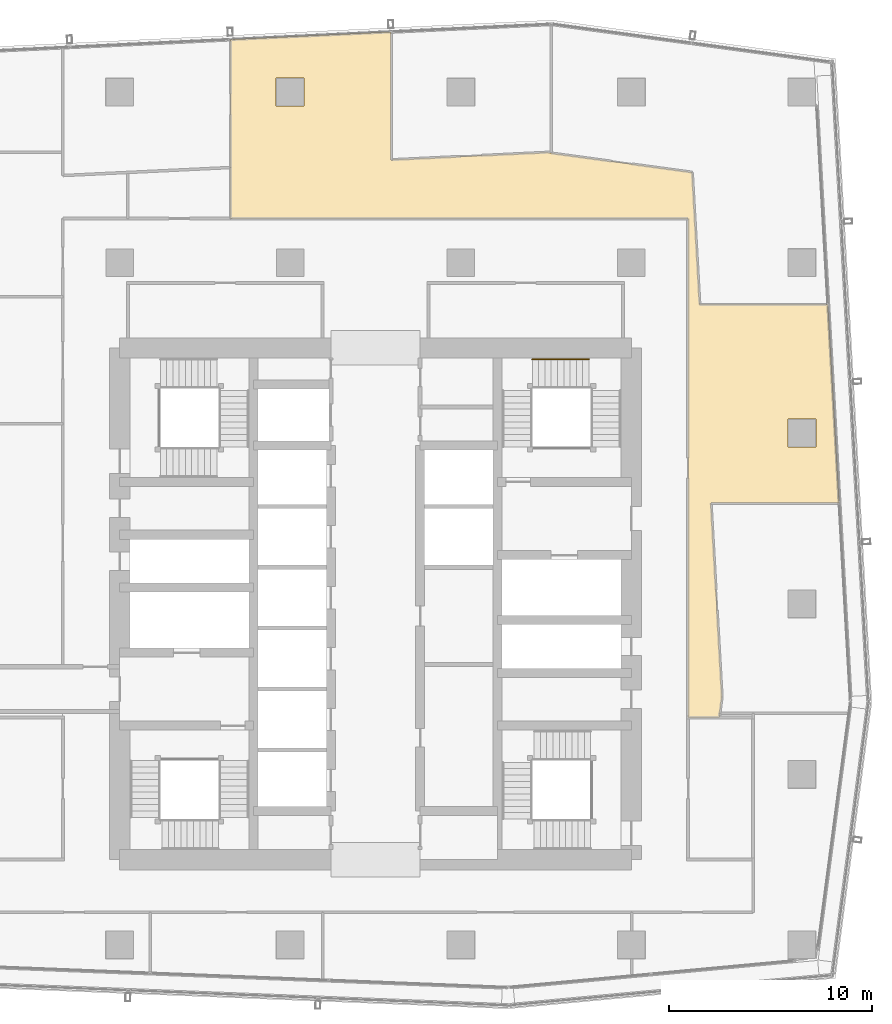
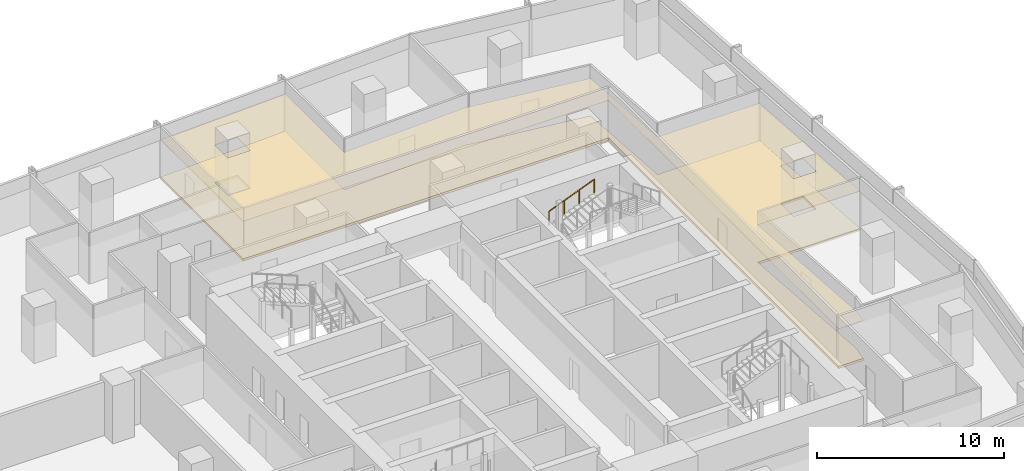
# One storey, part 37 of 39: 2 coverings, 1 railing.
"""IFC4 building model written with IfcOpenShell, lengths in metres."""

import ifcopenshell
import ifcopenshell.guid

model = None  # the IFC model being written
_history = None  # IfcOwnerHistory: only IFC2X3 demands one
_inside = {}  # id of a spatial element -> (the spatial element, [elements in it])
_under = {}  # id of a project, library or spatial element -> (it, [spatial elements below it])
_declared = {}  # id of a project -> (the project, [libraries it declares])
_typed = {}  # id of a type object -> (the type object, [elements of that type])
_made_of = {}  # id of a material, layer set ... -> (it, [elements and type objects made of it])


def new_model(schema):
    """Start an empty IFC model of exactly this schema.

    Asked for "IFC4X3", IfcOpenShell would pick the latest addendum, in which some entities
    have other attributes; the version numbers below select the first issue.
    IFC2X3 requires an IfcOwnerHistory on every rooted entity: one is made here for all.
    """
    global model, _history
    if schema == "IFC4X3":
        model = ifcopenshell.file(schema_version=(4, 3, 0, 0))
    else:
        model = ifcopenshell.file(schema=schema)
    _inside.clear()
    _under.clear()
    _declared.clear()
    _typed.clear()
    _made_of.clear()
    _history = None
    if model.schema == "IFC2X3":
        org = make("IfcOrganization", Name="unknown")
        user = make(
            "IfcPersonAndOrganization",
            ThePerson=make("IfcPerson", FamilyName="unknown"),
            TheOrganization=org,
        )
        app = make(
            "IfcApplication",
            ApplicationDeveloper=org,
            Version="unknown",
            ApplicationFullName="unknown",
            ApplicationIdentifier="unknown",
        )
        _history = make(
            "IfcOwnerHistory",
            OwningUser=user,
            OwningApplication=app,
            ChangeAction="ADDED",
            CreationDate=0,
        )
    return model


def make(cls, **values):
    """One entity of the class cls with the attributes given. An attribute that is None is left unset."""
    return model.create_entity(
        cls, **{name: value for name, value in values.items() if value is not None}
    )


def rooted(cls, **values):
    """An entity with a GlobalId (a new one), such as an element, a storey or a relation."""
    return make(cls, GlobalId=ifcopenshell.guid.new(), OwnerHistory=_history, **values)


def si_unit(unit_type, name, prefix=None):
    """IfcSIUnit, for example si_unit("LENGTHUNIT", "METRE", prefix="MILLI")."""
    return make("IfcSIUnit", UnitType=unit_type, Prefix=prefix, Name=name)


def assignment(units):
    """IfcUnitAssignment: the units of a project."""
    return None if units is None else make("IfcUnitAssignment", Units=units)


def point(xyz):
    """IfcCartesianPoint."""
    return None if xyz is None else make("IfcCartesianPoint", Coordinates=xyz)


def direction(xyz):
    """IfcDirection."""
    return None if xyz is None else make("IfcDirection", DirectionRatios=xyz)


def frame(location, z_axis=None, x_axis=None):
    """IfcAxis2Placement3D, a coordinate frame: its origin and axes. An axis left out is left unset."""
    return make(
        "IfcAxis2Placement3D",
        Location=point(location),
        Axis=direction(z_axis),
        RefDirection=direction(x_axis),
    )


def frame_2d(location, x_axis=None):
    """IfcAxis2Placement2D, a coordinate frame in the plane: its origin and x axis."""
    return make(
        "IfcAxis2Placement2D", Location=point(location), RefDirection=direction(x_axis)
    )


def origin():
    """The frame at (0, 0, 0) with its axes left unset."""
    return frame((0.0, 0.0, 0.0))


def origin_2d():
    """The frame at (0, 0) in the plane with its x axis left unset."""
    return frame_2d((0.0, 0.0))


def place(relative_to, where):
    """IfcLocalPlacement: puts the frame where relative to a parent placement (None: the world)."""
    return make(
        "IfcLocalPlacement", PlacementRelTo=relative_to, RelativePlacement=where
    )


def context(
    kind, dimensions, precision=None, world=None, true_north=None, identifier=None
):
    """IfcGeometricRepresentationContext, for example the 3D "Model" context."""
    return make(
        "IfcGeometricRepresentationContext",
        ContextIdentifier=identifier,
        ContextType=kind,
        CoordinateSpaceDimension=dimensions,
        Precision=precision,
        WorldCoordinateSystem=world,
        TrueNorth=true_north,
    )


def subcontext(parent, identifier, kind, view, scale=None):
    """IfcGeometricRepresentationSubContext, for example "Body" below "Model"."""
    return make(
        "IfcGeometricRepresentationSubContext",
        ContextIdentifier=identifier,
        ContextType=kind,
        ParentContext=parent,
        TargetScale=scale,
        TargetView=view,
    )


def project(units=None, contexts=None):
    """IfcProject with its units and contexts."""
    return rooted(
        "IfcProject",
        Name="project",
        RepresentationContexts=contexts,
        UnitsInContext=assignment(units),
    )


def spatial(cls, under=None, at=None, **own):
    """A site, building, storey or space (cls), placed at a placement, below another one or the project."""
    s = rooted(cls, ObjectPlacement=at, **own)
    if under is not None:
        _under.setdefault(under.id(), (under, []))[1].append(s)
    return s


def polyline(points):
    """IfcPolyline through the points."""
    return make("IfcPolyline", Points=[point(p) for p in points])


def profile(cls, at=None, kind="AREA", **sizes):
    """A parametric profile (cls). Its sizes go by their IFC names, for example OverallWidth=200.0."""
    return make(cls, ProfileType=kind, Position=at, **sizes)


def circle(**sizes):
    """IfcCircleProfileDef."""
    return profile("IfcCircleProfileDef", **sizes)


def outline(outer, holes=None, kind="AREA"):
    """IfcArbitraryClosedProfileDef: a profile drawn as a closed curve; with holes, ...WithVoids."""
    if holes is None:
        return make("IfcArbitraryClosedProfileDef", ProfileType=kind, OuterCurve=outer)
    return make(
        "IfcArbitraryProfileDefWithVoids",
        ProfileType=kind,
        OuterCurve=outer,
        InnerCurves=holes,
    )


def extrude(swept, where, along, depth):
    """IfcExtrudedAreaSolid: the profile swept, set in the frame where, extruded along a direction by depth."""
    return make(
        "IfcExtrudedAreaSolid",
        SweptArea=swept,
        Position=where,
        ExtrudedDirection=direction(along),
        Depth=depth,
    )


def shape(context_of_items, identifier, shape_type, items):
    """IfcShapeRepresentation: the items that make up one representation, for example the "Body"."""
    return make(
        "IfcShapeRepresentation",
        ContextOfItems=context_of_items,
        RepresentationIdentifier=identifier,
        RepresentationType=shape_type,
        Items=items,
    )


def material(Name=None, Category=None):
    """IfcMaterial."""
    return make("IfcMaterial", Name=Name, Category=Category)


def layer(
    of_material, thickness, ventilated=None, Name=None, Category=None, Priority=None
):
    """IfcMaterialLayer: one layer of a wall or slab, of a material (None: an air gap)."""
    return make(
        "IfcMaterialLayer",
        Material=of_material,
        LayerThickness=thickness,
        IsVentilated=ventilated,
        Name=Name,
        Category=Category,
        Priority=Priority,
    )


def layer_set(layers, Name=None):
    """IfcMaterialLayerSet."""
    return make("IfcMaterialLayerSet", MaterialLayers=layers, LayerSetName=Name)


def made_of(thing, what):
    """Note that an element or type object is made of a material, layer set ...; save() writes the relation."""
    if what is not None:
        _made_of.setdefault(what.id(), (what, []))[1].append(thing)
    return thing


def type_object(cls, material=None, **own):
    """A type object (cls), such as IfcWallType, which elements share."""
    return made_of(rooted(cls, **own), material)


def element(
    cls,
    number,
    at=None,
    inside=None,
    cuts=None,
    type_object=None,
    material=None,
    context=None,
    identifier="Body",
    shape_type=None,
    held_by="IfcProductDefinitionShape",
    body=None,
    shapes=None,
    **own,
):
    """One element of the class cls, such as IfcWall. Its Tag is "e" and its number.

    at: its placement. inside: the storey or other place that contains it. cuts: it is an
    opening in that element (IfcRelVoidsElement). A single representation is given by context,
    identifier, shape_type and body (its items); several are given by shapes. held_by: the class
    of the entity that holds the representations. save() writes the other relations.
    """
    e = rooted(cls, Tag="e%d" % number, ObjectPlacement=at, **own)
    if body is not None:
        shapes = [shape(context, identifier, shape_type, body)]
    if shapes is not None:
        e.Representation = make(held_by, Representations=shapes)
    if inside is not None:
        _inside.setdefault(inside.id(), (inside, []))[1].append(e)
    if cuts is not None:
        rooted(
            "IfcRelVoidsElement", RelatingBuildingElement=cuts, RelatedOpeningElement=e
        )
    if type_object is not None:
        _typed.setdefault(type_object.id(), (type_object, []))[1].append(e)
    return made_of(e, material)


def aggregate(whole, parts):
    """IfcRelAggregates: a whole, such as a stair, and the parts it consists of."""
    return rooted("IfcRelAggregates", RelatingObject=whole, RelatedObjects=parts)


def save(model, path):
    """Write the relations noted so far, then the file.

    IfcRelAggregates (storeys below a building ...), IfcRelContainedInSpatialStructure (elements
    in a storey), IfcRelDefinesByType, IfcRelAssociatesMaterial and IfcRelDeclares: one each for
    every whole, place, type object, material and project.
    """
    for whole, parts in _under.values():
        aggregate(whole, parts)
    for where, things in _inside.values():
        rooted(
            "IfcRelContainedInSpatialStructure",
            RelatedElements=things,
            RelatingStructure=where,
        )
    for kind, things in _typed.values():
        rooted("IfcRelDefinesByType", RelatedObjects=things, RelatingType=kind)
    for what, things in _made_of.values():
        rooted("IfcRelAssociatesMaterial", RelatedObjects=things, RelatingMaterial=what)
    for by, libraries in _declared.values():
        rooted("IfcRelDeclares", RelatingContext=by, RelatedDefinitions=libraries)
    model.write(path)


model = new_model("IFC4")

# Units and contexts
model_context = context("Model", 3, precision=1e-05, world=origin(), true_north=direction((0.0, 1.0)))
body_context = subcontext(model_context, "Body", "Model", "MODEL_VIEW")
ifc_project = project(units=[si_unit("LENGTHUNIT", "METRE"), si_unit("AREAUNIT", "SQUARE_METRE"), si_unit("VOLUMEUNIT", "CUBIC_METRE"), si_unit("PLANEANGLEUNIT", "RADIAN"), si_unit("MASSUNIT", "GRAM", prefix="KILO")], contexts=[model_context])

# Site, building, storey
site_placement = place(None, origin())
site = spatial("IfcSite", under=ifc_project, at=site_placement, CompositionType="ELEMENT")
building_placement = place(site_placement, origin())
building = spatial("IfcBuilding", under=site, at=building_placement, Name="Rekha Terrace Tower", CompositionType="ELEMENT")
storey_placement = place(building_placement, frame((0.0, 0.0, 221.449951171875)))
storey = spatial("IfcBuildingStorey", under=building, at=storey_placement, Name="L56", CompositionType="ELEMENT", Elevation=221.449951171875)

# Covering
ifc_material_1 = material(Name="Mineral fibre tile in exposed grid", Category="finish")
ifc_layer_1 = layer(ifc_material_1, 0.02001953125)
ifc_layer_set_1 = layer_set([ifc_layer_1], Name="Mineral fibre tile in exposed grid")
covering_type_1 = type_object("IfcCoveringType", Name="CL1 600x1200 office grid ceiling", PredefinedType="CEILING", material=ifc_layer_set_1)
covering_1_placement = place(storey_placement, frame((0.0, 0.0, 2.580078125)))
element("IfcCovering", 1, at=covering_1_placement, inside=storey, type_object=covering_type_1, Name="Ceiling L56-O1", PredefinedType="CEILING", context=body_context, shape_type="SweptSolid", body=[
    extrude(outline(polyline([(46.201904296875, 55.8291015625), (38.571044921875, 55.464111328125), (38.571044921875, 61.77099609375), (30.660888671875, 61.39306640625), (30.660888671875, 52.574951171875), (53.199951171875, 52.574951171875), (53.199951171875, 28.0), (54.72802734375, 28.0), (54.7548828125, 28.208984375), (54.862060546875, 29.01708984375), (54.321044921875, 38.554931640625), (60.631103515625, 38.554931640625), (60.075927734375, 48.33203125), (53.76611328125, 48.33203125), (53.39599609375, 54.85009765625), (46.444091796875, 55.7958984375), (46.201904296875, 55.8291015625)]), holes=[polyline([(59.489990234375, 41.31005859375), (58.110107421875, 41.31005859375), (58.110107421875, 42.68994140625), (59.489990234375, 42.68994140625), (59.489990234375, 41.31005859375)]), polyline([(34.2900390625, 58.110107421875), (32.909912109375, 58.110107421875), (32.909912109375, 59.489990234375), (34.2900390625, 59.489990234375), (34.2900390625, 58.110107421875)])]), origin(), (0.0, 0.0, 1.0), 0.02001953125),
])

# Railing
ifc_material_2 = material(Name="Stainless steel tube", Category="steel")
railing_type = type_object("IfcRailingType", Name="HR1 900 stair handrail", PredefinedType="HANDRAIL", material=ifc_material_2)
railing_placement = place(storey_placement, frame((45.52490234375, 45.639892578125, 1.375)))
element("IfcRailing", 2, at=railing_placement, inside=storey, type_object=railing_type, Name="Handrail ST2 L56 flight 2", PredefinedType="HANDRAIL", context=body_context, shape_type="SweptSolid", body=[
    extrude(circle(Radius=0.02392578125, at=origin_2d()), frame((0.0, 0.0, 0.8759765625), z_axis=(0.927443287984, 0.0, 0.373963831907), x_axis=(0.0, 1.0, 0.0)), (0.0, 0.0, 1.0), 3.00830078125),
    extrude(circle(Radius=0.02099609375, at=origin_2d()), origin(), (0.0, 0.0, 1.0), 0.851806640625),
    extrude(circle(Radius=0.02099609375, at=origin_2d()), frame((0.929931640625, 0.0, 0.375)), (0.0, 0.0, 1.0), 0.851806640625),
    extrude(circle(Radius=0.02099609375, at=origin_2d()), frame((1.860107421875, 0.0, 0.75)), (0.0, 0.0, 1.0), 0.851806640625),
    extrude(circle(Radius=0.02099609375, at=origin_2d()), frame((2.7900390625, 0.0, 1.125)), (0.0, 0.0, 1.0), 0.851806640625),
])

# Covering
ifc_material_3 = material(Name="Calcium sulphate panels on steel pedestals", Category="steel")
ifc_layer_2 = layer(ifc_material_3, 0.14990234375)
ifc_layer_set_2 = layer_set([ifc_layer_2], Name="Calcium sulphate panels on steel pedestals")
covering_type_2 = type_object("IfcCoveringType", Name="RF1 150 raised access floor", PredefinedType="FLOORING", material=ifc_layer_set_2)
covering_2_placement = place(storey_placement, origin())
element("IfcCovering", 3, at=covering_2_placement, inside=storey, type_object=covering_type_2, Name="Raised floor L56-O1", PredefinedType="FLOORING", context=body_context, shape_type="SweptSolid", body=[
    extrude(outline(polyline([(46.201904296875, 55.8291015625), (38.571044921875, 55.464111328125), (38.571044921875, 61.77099609375), (30.660888671875, 61.39306640625), (30.660888671875, 52.574951171875), (53.199951171875, 52.574951171875), (53.199951171875, 28.0), (54.72802734375, 28.0), (54.7548828125, 28.208984375), (54.862060546875, 29.01708984375), (54.321044921875, 38.554931640625), (60.631103515625, 38.554931640625), (60.075927734375, 48.33203125), (53.76611328125, 48.33203125), (53.39599609375, 54.85009765625), (46.444091796875, 55.7958984375), (46.201904296875, 55.8291015625)]), holes=[polyline([(59.489990234375, 41.31005859375), (58.110107421875, 41.31005859375), (58.110107421875, 42.68994140625), (59.489990234375, 42.68994140625), (59.489990234375, 41.31005859375)]), polyline([(34.2900390625, 58.110107421875), (32.909912109375, 58.110107421875), (32.909912109375, 59.489990234375), (34.2900390625, 59.489990234375), (34.2900390625, 58.110107421875)])]), origin(), (0.0, 0.0, 1.0), 0.150146484375),
])

save(model, "model.ifc")
